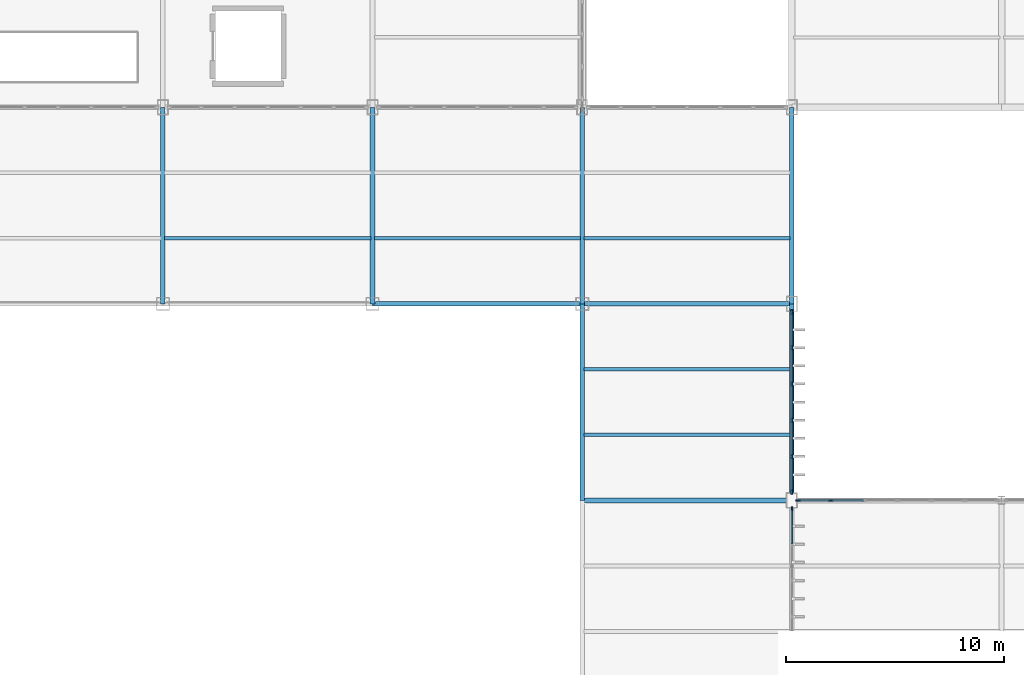
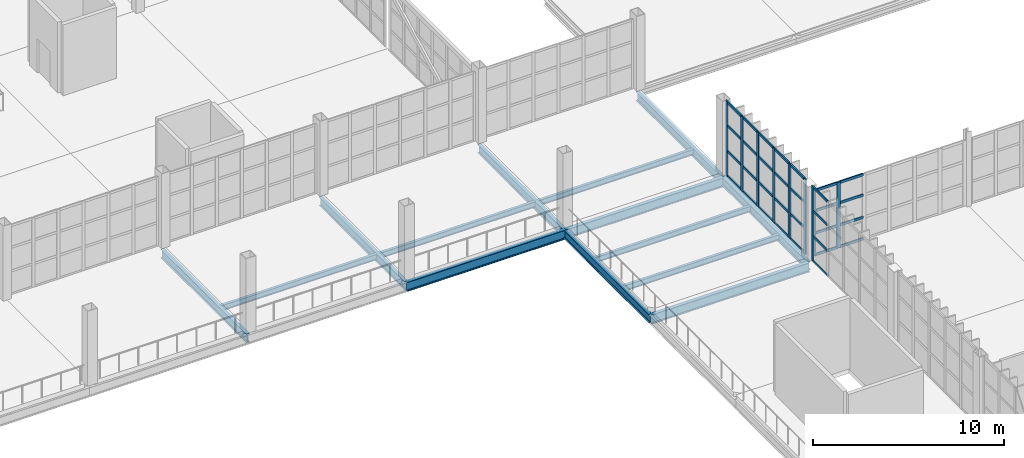
# One storey, part 36 of 120: 41 members, 14 beams, 3 elements without a shape of their own.
"""IFC4 building model written with IfcOpenShell, lengths in metres."""

from ifc_helpers import new_model, si_unit, direction, frame, origin, origin_2d, place, context, subcontext, project, spatial, rectangle, i_section, extrude, material, layer, layer_set, material_profile, profile_set, type_object, element, aggregate, save


model = new_model("IFC4")

# Units and contexts
model_context = context("Model", 3, precision=1e-05, world=origin(), true_north=direction((0.0, 1.0)))
body_context = subcontext(model_context, "Body", "Model", "MODEL_VIEW")
ifc_project = project(units=[si_unit("LENGTHUNIT", "METRE"), si_unit("AREAUNIT", "SQUARE_METRE"), si_unit("VOLUMEUNIT", "CUBIC_METRE"), si_unit("PLANEANGLEUNIT", "RADIAN"), si_unit("MASSUNIT", "GRAM", prefix="KILO")], contexts=[model_context])

# Site, building, storey
site_placement = place(None, origin())
site = spatial("IfcSite", under=ifc_project, at=site_placement, CompositionType="ELEMENT")
building_placement = place(site_placement, origin())
building = spatial("IfcBuilding", under=site, at=building_placement, Name="Zarnetskaya Central Station", CompositionType="ELEMENT")
storey_placement = place(building_placement, frame((0.0, 0.0, 5.39990234375)))
storey = spatial("IfcBuildingStorey", under=building, at=storey_placement, Name="L01", CompositionType="ELEMENT", Elevation=5.39990234375)

# Beams
ifc_material_1 = material(Name="Steel S355", Category="steel")
ifc_material_profile_1 = material_profile(ifc_material_1, i_section(OverallWidth=0.169921875, OverallDepth=0.360107421875, WebThickness=0.008056640625, FlangeThickness=0.0126953125, FilletRadius=0.01806640625, at=origin_2d()), Name="IPE 360")
ifc_profile_set_1 = profile_set([ifc_material_profile_1], Name="Steel S355")
beam_type_1 = type_object("IfcBeamType", Name="BM-SEC-360", PredefinedType="BEAM", material=ifc_profile_set_1)
beam_1_placement = place(storey_placement, frame((96.080078125, 61.199951171875, -0.4599609375), z_axis=(1.0, 0.0, 0.0), x_axis=(0.0, 1.0, 0.0)))
element("IfcBeam", 1, at=beam_1_placement, inside=storey, type_object=beam_type_1, Name="Secondary floor beam SEC-L01-Z512-LM-89-1", PredefinedType="BEAM", context=body_context, shape_type="SweptSolid", body=[
    extrude(i_section(OverallWidth=0.169921875, OverallDepth=0.360107421875, WebThickness=0.008056640625, FlangeThickness=0.0126953125, FilletRadius=0.01806640625, at=origin_2d()), origin(), (0.0, 0.0, 1.0), 9.43994140625),
])
beam_2_placement = place(storey_placement, frame((105.679931640625, 61.199951171875, -0.4599609375), z_axis=(1.0, 0.0, 0.0), x_axis=(0.0, 1.0, 0.0)))
element("IfcBeam", 2, at=beam_2_placement, inside=storey, type_object=beam_type_1, Name="Secondary floor beam SEC-L01-Z512-MN-89-1", PredefinedType="BEAM", context=body_context, shape_type="SweptSolid", body=[
    extrude(i_section(OverallWidth=0.169921875, OverallDepth=0.360107421875, WebThickness=0.008056640625, FlangeThickness=0.0126953125, FilletRadius=0.01806640625, at=origin_2d()), origin(), (0.0, 0.0, 1.0), 9.440185546875),
])
for number, where, z_axis, x_axis, name in (
    (3, (115.280029296875, 52.199951171875, -0.4599609375), (1.0, 0.0, 0.0), (0.0, 1.0, 0.0), "Secondary floor beam SEC-L01-Z512-NP-78-1"),
    (4, (115.280029296875, 55.199951171875, -0.4599609375), (1.0, 0.0, 0.0), (0.0, 1.0, 0.0), "Secondary floor beam SEC-L01-Z512-NP-78-2"),
    (5, (115.280029296875, 61.199951171875, -0.4599609375), (1.0, 0.0, 0.0), (0.0, 1.0, 0.0), "Secondary floor beam SEC-L01-Z512-NP-89-1"),
):
    element("IfcBeam", number, at=place(storey_placement, frame(where, z_axis=z_axis, x_axis=x_axis)), inside=storey, type_object=beam_type_1, Name=name, PredefinedType="BEAM", context=body_context, shape_type="SweptSolid", body=[
        extrude(i_section(OverallWidth=0.169921875, OverallDepth=0.360107421875, WebThickness=0.008056640625, FlangeThickness=0.0126953125, FilletRadius=0.01806640625, at=origin_2d()), origin(), (0.0, 0.0, 1.0), 9.43994140625),
    ])

# Curtain wall, member
ifc_material_2 = material(Name="Low-E insulated glass", Category="glass")
ifc_layer_1 = layer(ifc_material_2, 0.1640625, Name="Low-E insulated glass", Category="glass")
ifc_layer_set_1 = layer_set([ifc_layer_1], Name="Low-E insulated glass")
curtain_wall_type_1 = type_object("IfcCurtainWallType", Name="CW-SYS-17", PredefinedType="USERDEFINED", material=ifc_layer_set_1)
curtain_wall_1_placement = place(storey_placement, origin())
curtain_wall_1 = element("IfcCurtainWall", 6, at=curtain_wall_1_placement, inside=storey, type_object=curtain_wall_type_1, Name="Curtain wall CW-L01-095", ObjectType="CURTAIN WALL", PredefinedType="USERDEFINED")
ifc_material_3 = material(Name="Anodised aluminium", Category="aluminium")
ifc_material_profile_2 = material_profile(ifc_material_3, rectangle(XDim=0.070068359375, YDim=0.179931640625, at=origin_2d()), Name="ALU MULL 70x180")
ifc_profile_set_2 = profile_set([ifc_material_profile_2], Name="Anodised aluminium")
member_type_1 = type_object("IfcMemberType", Name="CW-MULL-180", PredefinedType="MULLION", material=ifc_profile_set_2)
member_1_placement = place(storey_placement, frame((124.800048828125, 48.81494140625, 0.0), z_axis=(0.0, 0.0, 1.0), x_axis=(1.0, 0.0, 0.0)))
member_1 = element("IfcMember", 7, at=member_1_placement, type_object=member_type_1, Name="CW-03 mullion 1", PredefinedType="MULLION", context=body_context, shape_type="SweptSolid", body=[
    extrude(rectangle(XDim=0.070068359375, YDim=0.179931640625, at=origin_2d()), origin(), (0.0, 0.0, 1.0), 4.800048828125),
])

# Curtain wall, members
curtain_wall_2_placement = place(storey_placement, origin())
curtain_wall_2 = element("IfcCurtainWall", 8, at=curtain_wall_2_placement, inside=storey, type_object=curtain_wall_type_1, Name="Curtain wall CW-L01-098", ObjectType="CURTAIN WALL", PredefinedType="USERDEFINED")
ifc_material_profile_3 = material_profile(ifc_material_3, rectangle(XDim=0.080078125, YDim=0.219970703125, at=origin_2d()), Name="ALU MULL 80x220")
ifc_profile_set_3 = profile_set([ifc_material_profile_3], Name="Anodised aluminium")
member_type_2 = type_object("IfcMemberType", Name="CW-MULL-220", PredefinedType="MULLION", material=ifc_profile_set_3)
member_2_placement = place(storey_placement, frame((124.800048828125, 57.81005859375, 0.0), z_axis=(0.0, 0.0, 1.0), x_axis=(1.0, 0.0, 0.0)))
member_2 = element("IfcMember", 9, at=member_2_placement, type_object=member_type_2, Name="CW-03 mullion 1", PredefinedType="MULLION", context=body_context, shape_type="SweptSolid", body=[
    extrude(rectangle(XDim=0.080078125, YDim=0.219970703125, at=origin_2d()), origin(), (0.0, 0.0, 1.0), 4.800048828125),
])
member_3_placement = place(storey_placement, frame((124.800048828125, 56.18994140625, 0.0), z_axis=(0.0, 0.0, 1.0), x_axis=(1.0, 0.0, 0.0)))
member_3 = element("IfcMember", 10, at=member_3_placement, type_object=member_type_2, Name="CW-03 mullion 2", PredefinedType="MULLION", context=body_context, shape_type="SweptSolid", body=[
    extrude(rectangle(XDim=0.080078125, YDim=0.219970703125, at=origin_2d()), origin(), (0.0, 0.0, 1.0), 4.800048828125),
])
member_4_placement = place(storey_placement, frame((124.800048828125, 54.530029296875, 0.0), z_axis=(0.0, 0.0, 1.0), x_axis=(1.0, 0.0, 0.0)))
member_4 = element("IfcMember", 11, at=member_4_placement, type_object=member_type_2, Name="CW-03 mullion 3", PredefinedType="MULLION", context=body_context, shape_type="SweptSolid", body=[
    extrude(rectangle(XDim=0.080078125, YDim=0.219970703125, at=origin_2d()), origin(), (0.0, 0.0, 1.0), 4.800048828125),
])
member_5_placement = place(storey_placement, frame((124.800048828125, 52.8701171875, 0.0), z_axis=(0.0, 0.0, 1.0), x_axis=(1.0, 0.0, 0.0)))
member_5 = element("IfcMember", 12, at=member_5_placement, type_object=member_type_2, Name="CW-03 mullion 4", PredefinedType="MULLION", context=body_context, shape_type="SweptSolid", body=[
    extrude(rectangle(XDim=0.080078125, YDim=0.219970703125, at=origin_2d()), origin(), (0.0, 0.0, 1.0), 4.800048828125),
])
member_6_placement = place(storey_placement, frame((124.800048828125, 51.2099609375, 0.0), z_axis=(0.0, 0.0, 1.0), x_axis=(1.0, 0.0, 0.0)))
member_6 = element("IfcMember", 13, at=member_6_placement, type_object=member_type_2, Name="CW-03 mullion 5", PredefinedType="MULLION", context=body_context, shape_type="SweptSolid", body=[
    extrude(rectangle(XDim=0.080078125, YDim=0.219970703125, at=origin_2d()), origin(), (0.0, 0.0, 1.0), 4.800048828125),
])
member_7_placement = place(storey_placement, frame((124.800048828125, 49.590087890625, 0.0), z_axis=(0.0, 0.0, 1.0), x_axis=(1.0, 0.0, 0.0)))
member_7 = element("IfcMember", 14, at=member_7_placement, type_object=member_type_2, Name="CW-03 mullion 6", PredefinedType="MULLION", context=body_context, shape_type="SweptSolid", body=[
    extrude(rectangle(XDim=0.080078125, YDim=0.219970703125, at=origin_2d()), origin(), (0.0, 0.0, 1.0), 4.800048828125),
])

ifc_layer_2 = layer(ifc_material_2, 0.159912109375, Name="Low-E insulated glass", Category="glass")
ifc_layer_set_2 = layer_set([ifc_layer_2], Name="Low-E insulated glass")
curtain_wall_type_2 = type_object("IfcCurtainWallType", Name="CW-SYS-06", PredefinedType="USERDEFINED", material=ifc_layer_set_2)
curtain_wall_3_placement = place(storey_placement, origin())
curtain_wall_3 = element("IfcCurtainWall", 15, at=curtain_wall_3_placement, inside=storey, type_object=curtain_wall_type_2, Name="Curtain wall CW-L01-112", ObjectType="CURTAIN WALL", PredefinedType="USERDEFINED")
member_8_placement = place(storey_placement, frame((125.090087890625, 49.199951171875, 0.0), z_axis=(0.0, 0.0, 1.0), x_axis=(0.0, 1.0, 0.0)))
member_8 = element("IfcMember", 16, at=member_8_placement, type_object=member_type_2, Name="CW-02 mullion 1", PredefinedType="MULLION", context=body_context, shape_type="SweptSolid", body=[
    extrude(rectangle(XDim=0.080078125, YDim=0.219970703125, at=origin_2d()), origin(), (0.0, 0.0, 1.0), 4.2001953125),
])
member_9_placement = place(storey_placement, frame((126.583251953125, 49.199951171875, 0.0), z_axis=(0.0, 0.0, 1.0), x_axis=(0.0, 1.0, 0.0)))
member_9 = element("IfcMember", 17, at=member_9_placement, type_object=member_type_2, Name="CW-02 mullion 2", PredefinedType="MULLION", context=body_context, shape_type="SweptSolid", body=[
    extrude(rectangle(XDim=0.080078125, YDim=0.219970703125, at=origin_2d()), origin(), (0.0, 0.0, 1.0), 4.2001953125),
])

# Member
ifc_material_profile_4 = material_profile(ifc_material_3, rectangle(XDim=0.070068359375, YDim=0.139892578125, at=origin_2d()), Name="ALU TRAN 70x140")
ifc_profile_set_4 = profile_set([ifc_material_profile_4], Name="Anodised aluminium")
member_type_3 = type_object("IfcMemberType", Name="CW-TRAN-140", PredefinedType="USERDEFINED", material=ifc_profile_set_4)
member_10_placement = place(storey_placement, frame((124.800048828125, 48.780029296875, 0.03515625), z_axis=(0.0, -1.0, 0.0), x_axis=(1.0, 0.0, 0.0)))
member_10 = element("IfcMember", 18, at=member_10_placement, type_object=member_type_3, Name="CW-03 transom 1.1", ObjectType="TRANSOM", PredefinedType="USERDEFINED", context=body_context, shape_type="SweptSolid", body=[
    extrude(rectangle(XDim=0.070068359375, YDim=0.139892578125, at=origin_2d()), origin(), (0.0, 0.0, 1.0), 1.554931640625),
])

member_11_placement = place(storey_placement, frame((124.800048828125, 48.780029296875, 1.632080078125), z_axis=(0.0, -1.0, 0.0), x_axis=(1.0, 0.0, 0.0)))
member_11 = element("IfcMember", 19, at=member_11_placement, type_object=member_type_3, Name="CW-03 transom 1.2", ObjectType="TRANSOM", PredefinedType="USERDEFINED", context=body_context, shape_type="SweptSolid", body=[
    extrude(rectangle(XDim=0.070068359375, YDim=0.139892578125, at=origin_2d()), origin(), (0.0, 0.0, 1.0), 1.554931640625),
])

member_12_placement = place(storey_placement, frame((124.800048828125, 48.780029296875, 3.26416015625), z_axis=(0.0, -1.0, 0.0), x_axis=(1.0, 0.0, 0.0)))
member_12 = element("IfcMember", 20, at=member_12_placement, type_object=member_type_3, Name="CW-03 transom 1.3", ObjectType="TRANSOM", PredefinedType="USERDEFINED", context=body_context, shape_type="SweptSolid", body=[
    extrude(rectangle(XDim=0.070068359375, YDim=0.139892578125, at=origin_2d()), origin(), (0.0, 0.0, 1.0), 1.554931640625),
])

member_13_placement = place(storey_placement, frame((124.800048828125, 48.780029296875, 4.76513671875), z_axis=(0.0, -1.0, 0.0), x_axis=(1.0, 0.0, 0.0)))
member_13 = element("IfcMember", 21, at=member_13_placement, type_object=member_type_3, Name="CW-03 transom 1.4", ObjectType="TRANSOM", PredefinedType="USERDEFINED", context=body_context, shape_type="SweptSolid", body=[
    extrude(rectangle(XDim=0.070068359375, YDim=0.139892578125, at=origin_2d()), origin(), (0.0, 0.0, 1.0), 1.554931640625),
])

aggregate(curtain_wall_1, [member_1, member_10, member_11, member_12, member_13])

ifc_material_profile_5 = material_profile(ifc_material_3, rectangle(XDim=0.080078125, YDim=0.159912109375, at=origin_2d()), Name="ALU TRAN 80x160")
ifc_profile_set_5 = profile_set([ifc_material_profile_5], Name="Anodised aluminium")
member_type_4 = type_object("IfcMemberType", Name="CW-TRAN-160", PredefinedType="USERDEFINED", material=ifc_profile_set_5)
member_14_placement = place(storey_placement, frame((124.800048828125, 57.77001953125, 0.0400390625), z_axis=(0.0, -1.0, 0.0), x_axis=(1.0, 0.0, 0.0)))
member_14 = element("IfcMember", 22, at=member_14_placement, type_object=member_type_4, Name="CW-03 transom 1.1", ObjectType="TRANSOM", PredefinedType="USERDEFINED", context=body_context, shape_type="SweptSolid", body=[
    extrude(rectangle(XDim=0.080078125, YDim=0.159912109375, at=origin_2d()), origin(), (0.0, 0.0, 1.0), 1.5400390625),
])

member_15_placement = place(storey_placement, frame((124.800048828125, 57.77001953125, 1.632080078125), z_axis=(0.0, -1.0, 0.0), x_axis=(1.0, 0.0, 0.0)))
member_15 = element("IfcMember", 23, at=member_15_placement, type_object=member_type_4, Name="CW-03 transom 1.2", ObjectType="TRANSOM", PredefinedType="USERDEFINED", context=body_context, shape_type="SweptSolid", body=[
    extrude(rectangle(XDim=0.080078125, YDim=0.159912109375, at=origin_2d()), origin(), (0.0, 0.0, 1.0), 1.5400390625),
])

member_16_placement = place(storey_placement, frame((124.800048828125, 57.77001953125, 3.26416015625), z_axis=(0.0, -1.0, 0.0), x_axis=(1.0, 0.0, 0.0)))
member_16 = element("IfcMember", 24, at=member_16_placement, type_object=member_type_4, Name="CW-03 transom 1.3", ObjectType="TRANSOM", PredefinedType="USERDEFINED", context=body_context, shape_type="SweptSolid", body=[
    extrude(rectangle(XDim=0.080078125, YDim=0.159912109375, at=origin_2d()), origin(), (0.0, 0.0, 1.0), 1.5400390625),
])

member_17_placement = place(storey_placement, frame((124.800048828125, 57.77001953125, 4.760009765625), z_axis=(0.0, -1.0, 0.0), x_axis=(1.0, 0.0, 0.0)))
member_17 = element("IfcMember", 25, at=member_17_placement, type_object=member_type_4, Name="CW-03 transom 1.4", ObjectType="TRANSOM", PredefinedType="USERDEFINED", context=body_context, shape_type="SweptSolid", body=[
    extrude(rectangle(XDim=0.080078125, YDim=0.159912109375, at=origin_2d()), origin(), (0.0, 0.0, 1.0), 1.5400390625),
])

member_18_placement = place(storey_placement, frame((124.800048828125, 56.14990234375, 0.0400390625), z_axis=(0.0, -1.0, 0.0), x_axis=(1.0, 0.0, 0.0)))
member_18 = element("IfcMember", 26, at=member_18_placement, type_object=member_type_4, Name="CW-03 transom 2.1", ObjectType="TRANSOM", PredefinedType="USERDEFINED", context=body_context, shape_type="SweptSolid", body=[
    extrude(rectangle(XDim=0.080078125, YDim=0.159912109375, at=origin_2d()), origin(), (0.0, 0.0, 1.0), 1.579833984375),
])

member_19_placement = place(storey_placement, frame((124.800048828125, 56.14990234375, 1.632080078125), z_axis=(0.0, -1.0, 0.0), x_axis=(1.0, 0.0, 0.0)))
member_19 = element("IfcMember", 27, at=member_19_placement, type_object=member_type_4, Name="CW-03 transom 2.2", ObjectType="TRANSOM", PredefinedType="USERDEFINED", context=body_context, shape_type="SweptSolid", body=[
    extrude(rectangle(XDim=0.080078125, YDim=0.159912109375, at=origin_2d()), origin(), (0.0, 0.0, 1.0), 1.579833984375),
])

member_20_placement = place(storey_placement, frame((124.800048828125, 56.14990234375, 3.26416015625), z_axis=(0.0, -1.0, 0.0), x_axis=(1.0, 0.0, 0.0)))
member_20 = element("IfcMember", 28, at=member_20_placement, type_object=member_type_4, Name="CW-03 transom 2.3", ObjectType="TRANSOM", PredefinedType="USERDEFINED", context=body_context, shape_type="SweptSolid", body=[
    extrude(rectangle(XDim=0.080078125, YDim=0.159912109375, at=origin_2d()), origin(), (0.0, 0.0, 1.0), 1.579833984375),
])

member_21_placement = place(storey_placement, frame((124.800048828125, 56.14990234375, 4.760009765625), z_axis=(0.0, -1.0, 0.0), x_axis=(1.0, 0.0, 0.0)))
member_21 = element("IfcMember", 29, at=member_21_placement, type_object=member_type_4, Name="CW-03 transom 2.4", ObjectType="TRANSOM", PredefinedType="USERDEFINED", context=body_context, shape_type="SweptSolid", body=[
    extrude(rectangle(XDim=0.080078125, YDim=0.159912109375, at=origin_2d()), origin(), (0.0, 0.0, 1.0), 1.579833984375),
])

member_22_placement = place(storey_placement, frame((124.800048828125, 54.489990234375, 0.0400390625), z_axis=(0.0, -1.0, 0.0), x_axis=(1.0, 0.0, 0.0)))
member_22 = element("IfcMember", 30, at=member_22_placement, type_object=member_type_4, Name="CW-03 transom 3.1", ObjectType="TRANSOM", PredefinedType="USERDEFINED", context=body_context, shape_type="SweptSolid", body=[
    extrude(rectangle(XDim=0.080078125, YDim=0.159912109375, at=origin_2d()), origin(), (0.0, 0.0, 1.0), 1.580078125),
])

member_23_placement = place(storey_placement, frame((124.800048828125, 54.489990234375, 1.632080078125), z_axis=(0.0, -1.0, 0.0), x_axis=(1.0, 0.0, 0.0)))
member_23 = element("IfcMember", 31, at=member_23_placement, type_object=member_type_4, Name="CW-03 transom 3.2", ObjectType="TRANSOM", PredefinedType="USERDEFINED", context=body_context, shape_type="SweptSolid", body=[
    extrude(rectangle(XDim=0.080078125, YDim=0.159912109375, at=origin_2d()), origin(), (0.0, 0.0, 1.0), 1.580078125),
])

member_24_placement = place(storey_placement, frame((124.800048828125, 54.489990234375, 3.26416015625), z_axis=(0.0, -1.0, 0.0), x_axis=(1.0, 0.0, 0.0)))
member_24 = element("IfcMember", 32, at=member_24_placement, type_object=member_type_4, Name="CW-03 transom 3.3", ObjectType="TRANSOM", PredefinedType="USERDEFINED", context=body_context, shape_type="SweptSolid", body=[
    extrude(rectangle(XDim=0.080078125, YDim=0.159912109375, at=origin_2d()), origin(), (0.0, 0.0, 1.0), 1.580078125),
])

member_25_placement = place(storey_placement, frame((124.800048828125, 54.489990234375, 4.760009765625), z_axis=(0.0, -1.0, 0.0), x_axis=(1.0, 0.0, 0.0)))
member_25 = element("IfcMember", 33, at=member_25_placement, type_object=member_type_4, Name="CW-03 transom 3.4", ObjectType="TRANSOM", PredefinedType="USERDEFINED", context=body_context, shape_type="SweptSolid", body=[
    extrude(rectangle(XDim=0.080078125, YDim=0.159912109375, at=origin_2d()), origin(), (0.0, 0.0, 1.0), 1.580078125),
])

member_26_placement = place(storey_placement, frame((124.800048828125, 52.830078125, 0.0400390625), z_axis=(0.0, -1.0, 0.0), x_axis=(1.0, 0.0, 0.0)))
member_26 = element("IfcMember", 34, at=member_26_placement, type_object=member_type_4, Name="CW-03 transom 4.1", ObjectType="TRANSOM", PredefinedType="USERDEFINED", context=body_context, shape_type="SweptSolid", body=[
    extrude(rectangle(XDim=0.080078125, YDim=0.159912109375, at=origin_2d()), origin(), (0.0, 0.0, 1.0), 1.580078125),
])

member_27_placement = place(storey_placement, frame((124.800048828125, 52.830078125, 1.632080078125), z_axis=(0.0, -1.0, 0.0), x_axis=(1.0, 0.0, 0.0)))
member_27 = element("IfcMember", 35, at=member_27_placement, type_object=member_type_4, Name="CW-03 transom 4.2", ObjectType="TRANSOM", PredefinedType="USERDEFINED", context=body_context, shape_type="SweptSolid", body=[
    extrude(rectangle(XDim=0.080078125, YDim=0.159912109375, at=origin_2d()), origin(), (0.0, 0.0, 1.0), 1.580078125),
])

member_28_placement = place(storey_placement, frame((124.800048828125, 52.830078125, 3.26416015625), z_axis=(0.0, -1.0, 0.0), x_axis=(1.0, 0.0, 0.0)))
member_28 = element("IfcMember", 36, at=member_28_placement, type_object=member_type_4, Name="CW-03 transom 4.3", ObjectType="TRANSOM", PredefinedType="USERDEFINED", context=body_context, shape_type="SweptSolid", body=[
    extrude(rectangle(XDim=0.080078125, YDim=0.159912109375, at=origin_2d()), origin(), (0.0, 0.0, 1.0), 1.580078125),
])

member_29_placement = place(storey_placement, frame((124.800048828125, 52.830078125, 4.760009765625), z_axis=(0.0, -1.0, 0.0), x_axis=(1.0, 0.0, 0.0)))
member_29 = element("IfcMember", 37, at=member_29_placement, type_object=member_type_4, Name="CW-03 transom 4.4", ObjectType="TRANSOM", PredefinedType="USERDEFINED", context=body_context, shape_type="SweptSolid", body=[
    extrude(rectangle(XDim=0.080078125, YDim=0.159912109375, at=origin_2d()), origin(), (0.0, 0.0, 1.0), 1.580078125),
])

member_30_placement = place(storey_placement, frame((124.800048828125, 51.169921875, 0.0400390625), z_axis=(0.0, -1.0, 0.0), x_axis=(1.0, 0.0, 0.0)))
member_30 = element("IfcMember", 38, at=member_30_placement, type_object=member_type_4, Name="CW-03 transom 5.1", ObjectType="TRANSOM", PredefinedType="USERDEFINED", context=body_context, shape_type="SweptSolid", body=[
    extrude(rectangle(XDim=0.080078125, YDim=0.159912109375, at=origin_2d()), origin(), (0.0, 0.0, 1.0), 1.5400390625),
])

member_31_placement = place(storey_placement, frame((124.800048828125, 51.169921875, 1.632080078125), z_axis=(0.0, -1.0, 0.0), x_axis=(1.0, 0.0, 0.0)))
member_31 = element("IfcMember", 39, at=member_31_placement, type_object=member_type_4, Name="CW-03 transom 5.2", ObjectType="TRANSOM", PredefinedType="USERDEFINED", context=body_context, shape_type="SweptSolid", body=[
    extrude(rectangle(XDim=0.080078125, YDim=0.159912109375, at=origin_2d()), origin(), (0.0, 0.0, 1.0), 1.5400390625),
])

member_32_placement = place(storey_placement, frame((124.800048828125, 51.169921875, 3.26416015625), z_axis=(0.0, -1.0, 0.0), x_axis=(1.0, 0.0, 0.0)))
member_32 = element("IfcMember", 40, at=member_32_placement, type_object=member_type_4, Name="CW-03 transom 5.3", ObjectType="TRANSOM", PredefinedType="USERDEFINED", context=body_context, shape_type="SweptSolid", body=[
    extrude(rectangle(XDim=0.080078125, YDim=0.159912109375, at=origin_2d()), origin(), (0.0, 0.0, 1.0), 1.5400390625),
])

member_33_placement = place(storey_placement, frame((124.800048828125, 51.169921875, 4.760009765625), z_axis=(0.0, -1.0, 0.0), x_axis=(1.0, 0.0, 0.0)))
member_33 = element("IfcMember", 41, at=member_33_placement, type_object=member_type_4, Name="CW-03 transom 5.4", ObjectType="TRANSOM", PredefinedType="USERDEFINED", context=body_context, shape_type="SweptSolid", body=[
    extrude(rectangle(XDim=0.080078125, YDim=0.159912109375, at=origin_2d()), origin(), (0.0, 0.0, 1.0), 1.5400390625),
])

aggregate(curtain_wall_2, [member_2, member_3, member_4, member_5, member_6, member_7, member_14, member_15, member_16, member_17, member_18, member_19, member_20, member_21, member_22, member_23, member_24, member_25, member_26, member_27, member_28, member_29, member_30, member_31, member_32, member_33])

member_34_placement = place(storey_placement, frame((125.1298828125, 49.199951171875, 0.0400390625), z_axis=(1.0, 0.0, 0.0), x_axis=(0.0, 1.0, 0.0)))
member_34 = element("IfcMember", 42, at=member_34_placement, type_object=member_type_4, Name="CW-02 transom 1.1", ObjectType="TRANSOM", PredefinedType="USERDEFINED", context=body_context, shape_type="SweptSolid", body=[
    extrude(rectangle(XDim=0.080078125, YDim=0.159912109375, at=origin_2d()), origin(), (0.0, 0.0, 1.0), 1.413330078125),
])

member_35_placement = place(storey_placement, frame((125.1298828125, 49.199951171875, 1.427978515625), z_axis=(1.0, 0.0, 0.0), x_axis=(0.0, 1.0, 0.0)))
member_35 = element("IfcMember", 43, at=member_35_placement, type_object=member_type_4, Name="CW-02 transom 1.2", ObjectType="TRANSOM", PredefinedType="USERDEFINED", context=body_context, shape_type="SweptSolid", body=[
    extrude(rectangle(XDim=0.080078125, YDim=0.159912109375, at=origin_2d()), origin(), (0.0, 0.0, 1.0), 1.413330078125),
])

member_36_placement = place(storey_placement, frame((125.1298828125, 49.199951171875, 2.856201171875), z_axis=(1.0, 0.0, 0.0), x_axis=(0.0, 1.0, 0.0)))
member_36 = element("IfcMember", 44, at=member_36_placement, type_object=member_type_4, Name="CW-02 transom 1.3", ObjectType="TRANSOM", PredefinedType="USERDEFINED", context=body_context, shape_type="SweptSolid", body=[
    extrude(rectangle(XDim=0.080078125, YDim=0.159912109375, at=origin_2d()), origin(), (0.0, 0.0, 1.0), 1.413330078125),
])

member_37_placement = place(storey_placement, frame((125.1298828125, 49.199951171875, 4.16015625), z_axis=(1.0, 0.0, 0.0), x_axis=(0.0, 1.0, 0.0)))
member_37 = element("IfcMember", 45, at=member_37_placement, type_object=member_type_4, Name="CW-02 transom 1.4", ObjectType="TRANSOM", PredefinedType="USERDEFINED", context=body_context, shape_type="SweptSolid", body=[
    extrude(rectangle(XDim=0.080078125, YDim=0.159912109375, at=origin_2d()), origin(), (0.0, 0.0, 1.0), 1.413330078125),
])

member_38_placement = place(storey_placement, frame((126.623291015625, 49.199951171875, 0.0400390625), z_axis=(1.0, 0.0, 0.0), x_axis=(0.0, 1.0, 0.0)))
member_38 = element("IfcMember", 46, at=member_38_placement, type_object=member_type_4, Name="CW-02 transom 2.1", ObjectType="TRANSOM", PredefinedType="USERDEFINED", context=body_context, shape_type="SweptSolid", body=[
    extrude(rectangle(XDim=0.080078125, YDim=0.159912109375, at=origin_2d()), origin(), (0.0, 0.0, 1.0), 1.453369140625),
])

member_39_placement = place(storey_placement, frame((126.623291015625, 49.199951171875, 1.427978515625), z_axis=(1.0, 0.0, 0.0), x_axis=(0.0, 1.0, 0.0)))
member_39 = element("IfcMember", 47, at=member_39_placement, type_object=member_type_4, Name="CW-02 transom 2.2", ObjectType="TRANSOM", PredefinedType="USERDEFINED", context=body_context, shape_type="SweptSolid", body=[
    extrude(rectangle(XDim=0.080078125, YDim=0.159912109375, at=origin_2d()), origin(), (0.0, 0.0, 1.0), 1.453369140625),
])

member_40_placement = place(storey_placement, frame((126.623291015625, 49.199951171875, 2.856201171875), z_axis=(1.0, 0.0, 0.0), x_axis=(0.0, 1.0, 0.0)))
member_40 = element("IfcMember", 48, at=member_40_placement, type_object=member_type_4, Name="CW-02 transom 2.3", ObjectType="TRANSOM", PredefinedType="USERDEFINED", context=body_context, shape_type="SweptSolid", body=[
    extrude(rectangle(XDim=0.080078125, YDim=0.159912109375, at=origin_2d()), origin(), (0.0, 0.0, 1.0), 1.453369140625),
])

member_41_placement = place(storey_placement, frame((126.623291015625, 49.199951171875, 4.16015625), z_axis=(1.0, 0.0, 0.0), x_axis=(0.0, 1.0, 0.0)))
member_41 = element("IfcMember", 49, at=member_41_placement, type_object=member_type_4, Name="CW-02 transom 2.4", ObjectType="TRANSOM", PredefinedType="USERDEFINED", context=body_context, shape_type="SweptSolid", body=[
    extrude(rectangle(XDim=0.080078125, YDim=0.159912109375, at=origin_2d()), origin(), (0.0, 0.0, 1.0), 1.453369140625),
])

aggregate(curtain_wall_3, [member_8, member_9, member_34, member_35, member_36, member_37, member_38, member_39, member_40, member_41])

# Beams
ifc_material_profile_6 = material_profile(ifc_material_1, i_section(OverallWidth=0.2099609375, OverallDepth=0.550048828125, WebThickness=0.010986328125, FlangeThickness=0.01708984375, FilletRadius=0.02392578125, at=origin_2d()), Name="IPE 550")
ifc_profile_set_6 = profile_set([ifc_material_profile_6], Name="Steel S355")
beam_type_2 = type_object("IfcBeamType", Name="GD-FLR-550", PredefinedType="USERDEFINED", material=ifc_profile_set_6)
for number, where, z_axis, x_axis, name in (
    (50, (96.0, 58.199951171875, -0.554931640625), (0.0, 1.0, 0.0), (-1.0, 0.0, 0.0), "Grid girder GY-L01-L-89"),
    (51, (105.60009765625, 58.199951171875, -0.554931640625), (0.0, 1.0, 0.0), (-1.0, 0.0, 0.0), "Grid girder GY-L01-M-89"),
    (52, (115.199951171875, 49.199951171875, -0.554931640625), (0.0, 1.0, 0.0), (-1.0, 0.0, 0.0), "Grid girder GY-L01-N-78"),
    (53, (115.199951171875, 58.199951171875, -0.554931640625), (0.0, 1.0, 0.0), (-1.0, 0.0, 0.0), "Grid girder GY-L01-N-89"),
    (54, (124.800048828125, 49.199951171875, -0.554931640625), (0.0, 1.0, 0.0), (-1.0, 0.0, 0.0), "Grid girder GY-L01-P-78"),
    (55, (124.800048828125, 58.199951171875, -0.554931640625), (0.0, 1.0, 0.0), (-1.0, 0.0, 0.0), "Grid girder GY-L01-P-89"),
):
    element("IfcBeam", number, at=place(storey_placement, frame(where, z_axis=z_axis, x_axis=x_axis)), inside=storey, type_object=beam_type_2, Name=name, ObjectType="GIRDER", PredefinedType="USERDEFINED", context=body_context, shape_type="SweptSolid", body=[
        extrude(i_section(OverallWidth=0.2099609375, OverallDepth=0.550048828125, WebThickness=0.010986328125, FlangeThickness=0.01708984375, FilletRadius=0.02392578125, at=origin_2d()), origin(), (0.0, 0.0, 1.0), 9.0),
    ])
ifc_material_profile_7 = material_profile(ifc_material_1, i_section(OverallWidth=0.219970703125, OverallDepth=0.60009765625, WebThickness=0.011962890625, FlangeThickness=0.01904296875, FilletRadius=0.02392578125, at=origin_2d()), Name="IPE 600")
ifc_profile_set_7 = profile_set([ifc_material_profile_7], Name="Steel S355")
beam_type_3 = type_object("IfcBeamType", Name="GD-FLR-600", PredefinedType="USERDEFINED", material=ifc_profile_set_7)
beam_3_placement = place(storey_placement, frame((105.60009765625, 58.199951171875, -0.579833984375), z_axis=(1.0, 0.0, 0.0), x_axis=(0.0, 1.0, 0.0)))
element("IfcBeam", 56, at=beam_3_placement, inside=storey, type_object=beam_type_3, Name="Grid girder GX-L01-8-MN", ObjectType="GIRDER", PredefinedType="USERDEFINED", context=body_context, shape_type="SweptSolid", body=[
    extrude(i_section(OverallWidth=0.219970703125, OverallDepth=0.60009765625, WebThickness=0.011962890625, FlangeThickness=0.01904296875, FilletRadius=0.02392578125, at=origin_2d()), origin(), (0.0, 0.0, 1.0), 9.599853515625),
])
for number, where, z_axis, x_axis, name in (
    (57, (115.199951171875, 49.199951171875, -0.579833984375), (1.0, 0.0, 0.0), (0.0, 1.0, 0.0), "Grid girder GX-L01-7-NP"),
    (58, (115.199951171875, 58.199951171875, -0.579833984375), (1.0, 0.0, 0.0), (0.0, 1.0, 0.0), "Grid girder GX-L01-8-NP"),
):
    element("IfcBeam", number, at=place(storey_placement, frame(where, z_axis=z_axis, x_axis=x_axis)), inside=storey, type_object=beam_type_3, Name=name, ObjectType="GIRDER", PredefinedType="USERDEFINED", context=body_context, shape_type="SweptSolid", body=[
        extrude(i_section(OverallWidth=0.219970703125, OverallDepth=0.60009765625, WebThickness=0.011962890625, FlangeThickness=0.01904296875, FilletRadius=0.02392578125, at=origin_2d()), origin(), (0.0, 0.0, 1.0), 9.60009765625),
    ])

save(model, "model.ifc")
